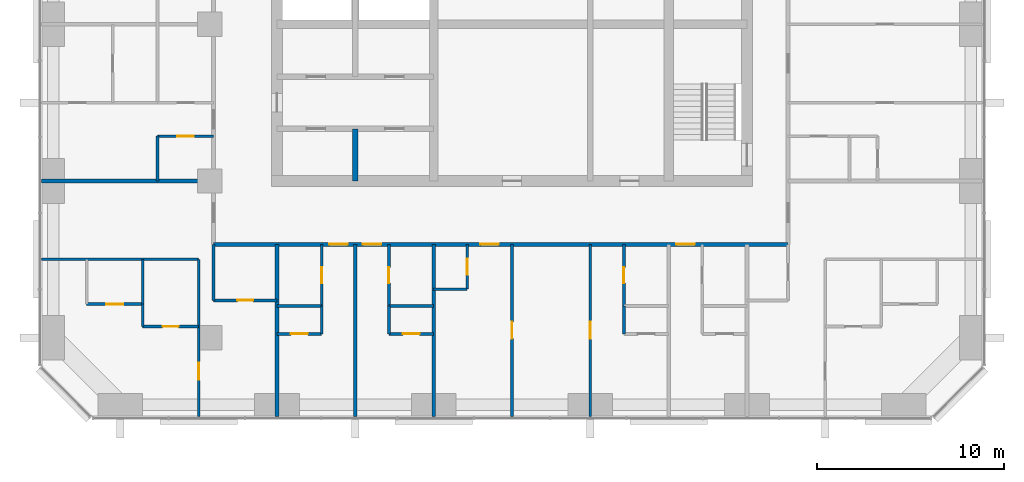
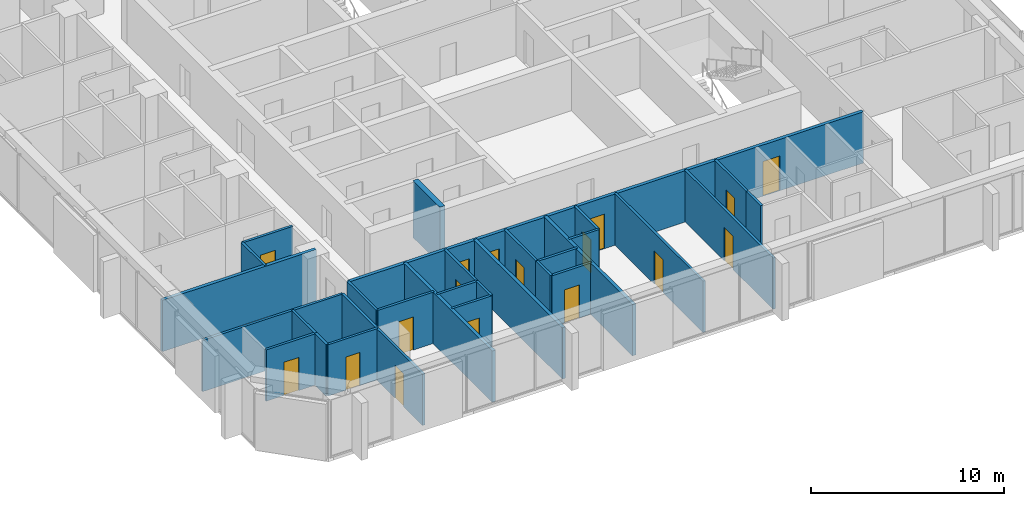
# One storey, part 8 of 14: 30 walls, 17 doors, 17 openings.
"""IFC4 building model written with IfcOpenShell, lengths in metres."""

from ifc_helpers import new_model, si_unit, direction, frame, frame_2d, origin, place, context, subcontext, project, spatial, rectangle, extrude, material, layer, layer_set, type_object, element, fill, save


model = new_model("IFC4")

# Units and contexts
model_context = context("Model", 3, precision=1e-05, world=origin(), true_north=direction((0.0, 1.0)))
body_context = subcontext(model_context, "Body", "Model", "MODEL_VIEW")
ifc_project = project(units=[si_unit("LENGTHUNIT", "METRE"), si_unit("AREAUNIT", "SQUARE_METRE"), si_unit("VOLUMEUNIT", "CUBIC_METRE"), si_unit("PLANEANGLEUNIT", "RADIAN"), si_unit("MASSUNIT", "GRAM", prefix="KILO")], contexts=[model_context])

# Site, building, storey
site_placement = place(None, origin())
site = spatial("IfcSite", under=ifc_project, at=site_placement, CompositionType="ELEMENT")
building_placement = place(site_placement, origin())
building = spatial("IfcBuilding", under=site, at=building_placement, Name="Dunama Terrace Hotel", CompositionType="ELEMENT")
storey_placement = place(building_placement, frame((0.0, 0.0, 202.199951171875)))
storey = spatial("IfcBuildingStorey", under=building, at=storey_placement, Name="L52", CompositionType="ELEMENT", Elevation=202.199951171875)

# Walls
ifc_material_1 = material(Name="Gypsum board partition", Category="masonry")
ifc_layer_1 = layer(ifc_material_1, 0.14990234375)
ifc_layer_set_1 = layer_set([ifc_layer_1], Name="Bathroom partition 150")
wall_type_1 = type_object("IfcWallType", Name="Bathroom partition 150", PredefinedType="PARTITIONING", material=ifc_layer_set_1)
wall_1_placement = place(storey_placement, frame((9.60009765625, 9.0, 0.0), z_axis=(0.0, 0.0, 1.0), x_axis=(0.0, 1.0, 0.0)))
element("IfcWall", 1, at=wall_1_placement, inside=storey, type_object=wall_type_1, Name="Bathroom partition 150 L52", PredefinedType="PARTITIONING", context=body_context, shape_type="SweptSolid", body=[
    extrude(rectangle(XDim=1.199951171875, YDim=0.14990234375, at=frame_2d((0.60009765625, 0.0))), origin(), (0.0, 0.0, 1.0), 3.25),
])
wall_2_placement = place(storey_placement, frame((13.39990234375, 10.39990234375, 0.0), z_axis=(0.0, 0.0, 1.0), x_axis=(0.0, 1.0, 0.0)))
element("IfcWall", 2, at=wall_2_placement, inside=storey, type_object=wall_type_1, Name="Bathroom partition 150 L52", PredefinedType="PARTITIONING", context=body_context, shape_type="SweptSolid", body=[
    extrude(rectangle(XDim=3.0, YDim=0.14990234375, at=frame_2d((1.5, 0.0))), origin(), (0.0, 0.0, 1.0), 3.25),
])

# Wall, opening, door
wall_3_placement = place(storey_placement, frame((19.199951171875, 10.10009765625, 0.0), z_axis=(0.0, 0.0, 1.0), x_axis=(0.0, 1.0, 0.0)))
wall_3 = element("IfcWall", 3, at=wall_3_placement, inside=storey, type_object=wall_type_1, Name="Bathroom partition 150 L52", PredefinedType="PARTITIONING", context=body_context, shape_type="SweptSolid", body=[
    extrude(rectangle(XDim=3.2998046875, YDim=0.14990234375, at=frame_2d((1.64990234375, 0.0))), origin(), (0.0, 0.0, 1.0), 3.25),
])
opening_1_placement = place(wall_3_placement, frame((1.22509765625, 0.0, 0.0)))
opening_1 = element("IfcOpeningElement", 4, at=opening_1_placement, cuts=wall_3, Name="Opening L51-52-010", PredefinedType="OPENING", context=body_context, shape_type="SweptSolid", body=[
    extrude(rectangle(XDim=0.85009765625, YDim=2.10009765625, at=frame_2d((0.425048828125, 1.050048828125))), frame((0.0, 0.0849609375, 0.0), z_axis=(0.0, -1.0, 0.0), x_axis=(1.0, 0.0, 0.0)), (0.0, 0.0, 1.0), 0.169921875),
])
ifc_material_2 = material(Name="Timber door with steel frame", Category="steel")
door_type_1 = type_object("IfcDoorType", Name="Bathroom door 850", OperationType="SINGLE_SWING_LEFT", PredefinedType="DOOR", material=ifc_material_2)
door_1_placement = place(opening_1_placement, origin())
door_1 = element("IfcDoor", 5, at=door_1_placement, inside=storey, type_object=door_type_1, Name="Door to en-suite bathroom L51-52-010, type D2", OperationType="SINGLE_SWING_RIGHT", OverallHeight=2.10009765625, OverallWidth=0.85009765625, PredefinedType="DOOR", context=body_context, shape_type="SweptSolid", body=[
    extrude(rectangle(XDim=0.85009765625, YDim=2.10009765625, at=frame_2d((0.425048828125, 1.050048828125))), frame((0.0, 0.02490234375, 0.0), z_axis=(0.0, -1.0, 0.0), x_axis=(1.0, 0.0, 0.0)), (0.0, 0.0, 1.0), 0.050048828125),
])
fill(opening_1, door_1)

wall_4_placement = place(storey_placement, frame((22.800048828125, 10.10009765625, 0.0), z_axis=(0.0, 0.0, 1.0), x_axis=(0.0, 1.0, 0.0)))
wall_4 = element("IfcWall", 6, at=wall_4_placement, inside=storey, type_object=wall_type_1, Name="Bathroom partition 150 L52", PredefinedType="PARTITIONING", context=body_context, shape_type="SweptSolid", body=[
    extrude(rectangle(XDim=3.2998046875, YDim=0.14990234375, at=frame_2d((1.64990234375, 0.0))), origin(), (0.0, 0.0, 1.0), 3.25),
])
opening_2_placement = place(wall_4_placement, frame((1.22509765625, 0.0, 0.0)))
opening_2 = element("IfcOpeningElement", 7, at=opening_2_placement, cuts=wall_4, Name="Opening L51-52-013", PredefinedType="OPENING", context=body_context, shape_type="SweptSolid", body=[
    extrude(rectangle(XDim=0.85009765625, YDim=2.10009765625, at=frame_2d((0.425048828125, 1.050048828125))), frame((0.0, 0.0849609375, 0.0), z_axis=(0.0, -1.0, 0.0), x_axis=(1.0, 0.0, 0.0)), (0.0, 0.0, 1.0), 0.169921875),
])
door_2_placement = place(opening_2_placement, frame((0.85009765625, 0.0, 0.0), z_axis=(0.0, 0.0, 1.0), x_axis=(-1.0, 0.0, 0.0)))
door_2 = element("IfcDoor", 8, at=door_2_placement, inside=storey, type_object=door_type_1, Name="Door to en-suite bathroom L51-52-013, type D2", OperationType="SINGLE_SWING_LEFT", OverallHeight=2.10009765625, OverallWidth=0.85009765625, PredefinedType="DOOR", context=body_context, shape_type="SweptSolid", body=[
    extrude(rectangle(XDim=0.85009765625, YDim=2.10009765625, at=frame_2d((0.425048828125, 1.050048828125))), frame((0.0, 0.025146484375, 0.0), z_axis=(0.0, -1.0, 0.0), x_axis=(1.0, 0.0, 0.0)), (0.0, 0.0, 1.0), 0.050048828125),
])
fill(opening_2, door_2)

wall_5_placement = place(storey_placement, frame((27.0, 11.0, 0.0), z_axis=(0.0, 0.0, 1.0), x_axis=(0.0, 1.0, 0.0)))
wall_5 = element("IfcWall", 9, at=wall_5_placement, inside=storey, type_object=wall_type_1, Name="Bathroom partition 150 L52", PredefinedType="PARTITIONING", context=body_context, shape_type="SweptSolid", body=[
    extrude(rectangle(XDim=2.39990234375, YDim=0.14990234375, at=frame_2d((1.199951171875, 0.0))), origin(), (0.0, 0.0, 1.0), 3.25),
])
opening_3_placement = place(wall_5_placement, frame((0.77490234375, 0.0, 0.0)))
opening_3 = element("IfcOpeningElement", 10, at=opening_3_placement, cuts=wall_5, Name="Opening L51-52-016", PredefinedType="OPENING", context=body_context, shape_type="SweptSolid", body=[
    extrude(rectangle(XDim=0.85009765625, YDim=2.10009765625, at=frame_2d((0.425048828125, 1.050048828125))), frame((0.0, 0.0849609375, 0.0), z_axis=(0.0, -1.0, 0.0), x_axis=(1.0, 0.0, 0.0)), (0.0, 0.0, 1.0), 0.169921875),
])
door_3_placement = place(opening_3_placement, origin())
door_3 = element("IfcDoor", 11, at=door_3_placement, inside=storey, type_object=door_type_1, Name="Door to powder room L51-52-016, type D2", OperationType="SINGLE_SWING_RIGHT", OverallHeight=2.10009765625, OverallWidth=0.85009765625, PredefinedType="DOOR", context=body_context, shape_type="SweptSolid", body=[
    extrude(rectangle(XDim=0.85009765625, YDim=2.10009765625, at=frame_2d((0.425048828125, 1.050048828125))), frame((0.0, 0.02490234375, 0.0), z_axis=(0.0, -1.0, 0.0), x_axis=(1.0, 0.0, 0.0)), (0.0, 0.0, 1.0), 0.050048828125),
])
fill(opening_3, door_3)

wall_6_placement = place(storey_placement, frame((35.39990234375, 10.10009765625, 0.0), z_axis=(0.0, 0.0, 1.0), x_axis=(0.0, 1.0, 0.0)))
wall_6 = element("IfcWall", 12, at=wall_6_placement, inside=storey, type_object=wall_type_1, Name="Bathroom partition 150 L52", PredefinedType="PARTITIONING", context=body_context, shape_type="SweptSolid", body=[
    extrude(rectangle(XDim=3.2998046875, YDim=0.14990234375, at=frame_2d((1.64990234375, 0.0))), origin(), (0.0, 0.0, 1.0), 3.25),
])
opening_4_placement = place(wall_6_placement, frame((1.22509765625, 0.0, 0.0)))
opening_4 = element("IfcOpeningElement", 13, at=opening_4_placement, cuts=wall_6, Name="Opening L51-52-019", PredefinedType="OPENING", context=body_context, shape_type="SweptSolid", body=[
    extrude(rectangle(XDim=0.85009765625, YDim=2.10009765625, at=frame_2d((0.425048828125, 1.050048828125))), frame((0.0, 0.0849609375, 0.0), z_axis=(0.0, -1.0, 0.0), x_axis=(1.0, 0.0, 0.0)), (0.0, 0.0, 1.0), 0.169921875),
])
door_4_placement = place(opening_4_placement, frame((0.85009765625, 0.0, 0.0), z_axis=(0.0, 0.0, 1.0), x_axis=(-1.0, 0.0, 0.0)))
door_4 = element("IfcDoor", 14, at=door_4_placement, inside=storey, type_object=door_type_1, Name="Door to en-suite bathroom L51-52-019, type D2", OperationType="SINGLE_SWING_LEFT", OverallHeight=2.10009765625, OverallWidth=0.85009765625, PredefinedType="DOOR", context=body_context, shape_type="SweptSolid", body=[
    extrude(rectangle(XDim=0.85009765625, YDim=2.10009765625, at=frame_2d((0.425048828125, 1.050048828125))), frame((0.0, 0.025146484375, 0.0), z_axis=(0.0, -1.0, 0.0), x_axis=(1.0, 0.0, 0.0)), (0.0, 0.0, 1.0), 0.050048828125),
])
fill(opening_4, door_4)

wall_7_placement = place(storey_placement, frame((9.60009765625, 9.0, 0.0), z_axis=(0.0, 0.0, 1.0), x_axis=(1.0, 0.0, 0.0)))
wall_7 = element("IfcWall", 15, at=wall_7_placement, inside=storey, type_object=wall_type_1, Name="Bathroom partition 150 L52", PredefinedType="PARTITIONING", context=body_context, shape_type="SweptSolid", body=[
    extrude(rectangle(XDim=3.0, YDim=0.14990234375, at=frame_2d((1.5, 0.0))), origin(), (0.0, 0.0, 1.0), 3.25),
])
opening_5_placement = place(wall_7_placement, frame((1.074951171875, 0.0, 0.0)))
opening_5 = element("IfcOpeningElement", 16, at=opening_5_placement, cuts=wall_7, Name="Opening L51-52-056", PredefinedType="OPENING", context=body_context, shape_type="SweptSolid", body=[
    extrude(rectangle(XDim=0.85009765625, YDim=2.10009765625, at=frame_2d((0.425048828125, 1.050048828125))), frame((0.0, 0.0849609375, 0.0), z_axis=(0.0, -1.0, 0.0), x_axis=(1.0, 0.0, 0.0)), (0.0, 0.0, 1.0), 0.169921875),
])
door_5_placement = place(opening_5_placement, origin())
door_5 = element("IfcDoor", 17, at=door_5_placement, inside=storey, type_object=door_type_1, Name="Door to en-suite bathroom L51-52-056, type D2", OperationType="SINGLE_SWING_LEFT", OverallHeight=2.10009765625, OverallWidth=0.85009765625, PredefinedType="DOOR", context=body_context, shape_type="SweptSolid", body=[
    extrude(rectangle(XDim=0.85009765625, YDim=2.10009765625, at=frame_2d((0.425048828125, 1.050048828125))), frame((0.0, 0.02490234375, 0.0), z_axis=(0.0, -1.0, 0.0), x_axis=(1.0, 0.0, 0.0)), (0.0, 0.0, 1.0), 0.050048828125),
])
fill(opening_5, door_5)

wall_8_placement = place(storey_placement, frame((13.39990234375, 10.39990234375, 0.0), z_axis=(0.0, 0.0, 1.0), x_axis=(1.0, 0.0, 0.0)))
wall_8 = element("IfcWall", 18, at=wall_8_placement, inside=storey, type_object=wall_type_1, Name="Bathroom partition 150 L52", PredefinedType="PARTITIONING", context=body_context, shape_type="SweptSolid", body=[
    extrude(rectangle(XDim=3.400146484375, YDim=0.14990234375, at=frame_2d((1.7001953125, 0.0))), origin(), (0.0, 0.0, 1.0), 3.25),
])
opening_6_placement = place(wall_8_placement, frame((1.27490234375, 0.0, 0.0)))
opening_6 = element("IfcOpeningElement", 19, at=opening_6_placement, cuts=wall_8, Name="Opening L51-52-054", PredefinedType="OPENING", context=body_context, shape_type="SweptSolid", body=[
    extrude(rectangle(XDim=0.85009765625, YDim=2.10009765625, at=frame_2d((0.425048828125, 1.050048828125))), frame((0.0, 0.0849609375, 0.0), z_axis=(0.0, -1.0, 0.0), x_axis=(1.0, 0.0, 0.0)), (0.0, 0.0, 1.0), 0.169921875),
])
door_6_placement = place(opening_6_placement, origin())
door_6 = element("IfcDoor", 20, at=door_6_placement, inside=storey, type_object=door_type_1, Name="Door to powder room L51-52-054, type D2", OperationType="SINGLE_SWING_RIGHT", OverallHeight=2.10009765625, OverallWidth=0.85009765625, PredefinedType="DOOR", context=body_context, shape_type="SweptSolid", body=[
    extrude(rectangle(XDim=0.85009765625, YDim=2.10009765625, at=frame_2d((0.425048828125, 1.050048828125))), frame((0.0, 0.02490234375, 0.0), z_axis=(0.0, -1.0, 0.0), x_axis=(1.0, 0.0, 0.0)), (0.0, 0.0, 1.0), 0.050048828125),
])
fill(opening_6, door_6)

# Walls
wall_9_placement = place(storey_placement, frame((25.199951171875, 11.0, 0.0), z_axis=(0.0, 0.0, 1.0), x_axis=(1.0, 0.0, 0.0)))
element("IfcWall", 21, at=wall_9_placement, inside=storey, type_object=wall_type_1, Name="Bathroom partition 150 L52", PredefinedType="PARTITIONING", context=body_context, shape_type="SweptSolid", body=[
    extrude(rectangle(XDim=1.800048828125, YDim=0.14990234375, at=frame_2d((0.89990234375, 0.0))), origin(), (0.0, 0.0, 1.0), 3.25),
])
ifc_material_3 = material(Name="Concrete C50/60", Category="concrete")
ifc_layer_2 = layer(ifc_material_3, 0.300048828125)
ifc_layer_set_2 = layer_set([ifc_layer_2], Name="Core inner wall 300")
wall_type_2 = type_object("IfcWallType", Name="Core inner wall 300", PredefinedType="SHEAR", material=ifc_layer_set_2)
wall_10_placement = place(storey_placement, frame((21.0, 16.800048828125, -0.349853515625), z_axis=(0.0, 0.0, 1.0), x_axis=(0.0, 1.0, 0.0)))
element("IfcWall", 22, at=wall_10_placement, inside=storey, type_object=wall_type_2, Name="Core inner wall 300 L52", PredefinedType="SHEAR", context=body_context, shape_type="SweptSolid", body=[
    extrude(rectangle(XDim=2.800048828125, YDim=0.300048828125, at=frame_2d((1.39990234375, 0.0))), origin(), (0.0, 0.0, 1.0), 3.599853515625),
])

# Wall, openings, doors
ifc_material_4 = material(Name="Concrete blockwork", Category="masonry")
ifc_layer_3 = layer(ifc_material_4, 0.199951171875)
ifc_layer_set_3 = layer_set([ifc_layer_3], Name="Corridor partition 200")
wall_type_3 = type_object("IfcWallType", Name="Corridor partition 200", PredefinedType="PARTITIONING", material=ifc_layer_set_3)
wall_11_placement = place(storey_placement, frame((44.199951171875, 13.39990234375, 0.0), z_axis=(0.0, 0.0, 1.0), x_axis=(-1.0, 0.0, 0.0)))
wall_11 = element("IfcWall", 23, at=wall_11_placement, inside=storey, type_object=wall_type_3, Name="Corridor partition 200 L52", PredefinedType="PARTITIONING", context=body_context, shape_type="SweptSolid", body=[
    extrude(rectangle(XDim=30.800048828125, YDim=0.199951171875, at=frame_2d((15.39990234375, 0.0))), origin(), (0.0, 0.0, 1.0), 3.25),
])
opening_7_placement = place(wall_11_placement, frame((23.60009765625, 0.0, 0.0)))
opening_7 = element("IfcOpeningElement", 24, at=opening_7_placement, cuts=wall_11, Name="Opening L51-52-009", PredefinedType="OPENING", context=body_context, shape_type="SweptSolid", body=[
    extrude(rectangle(XDim=1.0, YDim=2.199951171875, at=frame_2d((0.5, 1.10009765625))), frame((0.0, 0.10986328125, 0.0), z_axis=(0.0, -1.0, 0.0), x_axis=(1.0, 0.0, 0.0)), (0.0, 0.0, 1.0), 0.219970703125),
])
opening_8_placement = place(wall_11_placement, frame((21.800048828125, 0.0, 0.0)))
opening_8 = element("IfcOpeningElement", 25, at=opening_8_placement, cuts=wall_11, Name="Opening L51-52-012", PredefinedType="OPENING", context=body_context, shape_type="SweptSolid", body=[
    extrude(rectangle(XDim=1.0, YDim=2.199951171875, at=frame_2d((0.5, 1.10009765625))), frame((0.0, 0.10986328125, 0.0), z_axis=(0.0, -1.0, 0.0), x_axis=(1.0, 0.0, 0.0)), (0.0, 0.0, 1.0), 0.219970703125),
])
opening_9_placement = place(wall_11_placement, frame((15.5, 0.0, 0.0)))
opening_9 = element("IfcOpeningElement", 26, at=opening_9_placement, cuts=wall_11, Name="Opening L51-52-015", PredefinedType="OPENING", context=body_context, shape_type="SweptSolid", body=[
    extrude(rectangle(XDim=1.0, YDim=2.199951171875, at=frame_2d((0.5, 1.10009765625))), frame((0.0, 0.10986328125, 0.0), z_axis=(0.0, -1.0, 0.0), x_axis=(1.0, 0.0, 0.0)), (0.0, 0.0, 1.0), 0.219970703125),
])
opening_10_placement = place(wall_11_placement, frame((5.0, 0.0, 0.0)))
opening_10 = element("IfcOpeningElement", 27, at=opening_10_placement, cuts=wall_11, Name="Opening L51-52-021", PredefinedType="OPENING", context=body_context, shape_type="SweptSolid", body=[
    extrude(rectangle(XDim=1.0, YDim=2.199951171875, at=frame_2d((0.5, 1.10009765625))), frame((0.0, 0.10986328125, 0.0), z_axis=(0.0, -1.0, 0.0), x_axis=(1.0, 0.0, 0.0)), (0.0, 0.0, 1.0), 0.219970703125),
])
ifc_material_5 = material(Name="Timber door with steel frame", Category="steel")
door_type_2 = type_object("IfcDoorType", Name="Guest room door 1000", OperationType="SINGLE_SWING_LEFT", PredefinedType="DOOR", material=ifc_material_5)
door_7_placement = place(opening_7_placement, origin())
door_7 = element("IfcDoor", 28, at=door_7_placement, inside=storey, type_object=door_type_2, Name="Door to club room L51-52-009, type D1", OperationType="SINGLE_SWING_LEFT", OverallHeight=2.199951171875, OverallWidth=1.0, PredefinedType="DOOR", context=body_context, shape_type="SweptSolid", body=[
    extrude(rectangle(XDim=1.0, YDim=2.199951171875, at=frame_2d((0.5, 1.10009765625))), frame((0.0, 0.02490234375, 0.0), z_axis=(0.0, -1.0, 0.0), x_axis=(1.0, 0.0, 0.0)), (0.0, 0.0, 1.0), 0.050048828125),
])
fill(opening_7, door_7)
door_8_placement = place(opening_8_placement, origin())
door_8 = element("IfcDoor", 29, at=door_8_placement, inside=storey, type_object=door_type_2, Name="Door to club room L51-52-012, type D1", OperationType="SINGLE_SWING_RIGHT", OverallHeight=2.199951171875, OverallWidth=1.0, PredefinedType="DOOR", context=body_context, shape_type="SweptSolid", body=[
    extrude(rectangle(XDim=1.0, YDim=2.199951171875, at=frame_2d((0.5, 1.10009765625))), frame((0.0, 0.02490234375, 0.0), z_axis=(0.0, -1.0, 0.0), x_axis=(1.0, 0.0, 0.0)), (0.0, 0.0, 1.0), 0.050048828125),
])
fill(opening_8, door_8)
door_9_placement = place(opening_9_placement, origin())
door_9 = element("IfcDoor", 30, at=door_9_placement, inside=storey, type_object=door_type_2, Name="Door to ambassador suite living room L51-52-015, type D1", OperationType="SINGLE_SWING_LEFT", OverallHeight=2.199951171875, OverallWidth=1.0, PredefinedType="DOOR", context=body_context, shape_type="SweptSolid", body=[
    extrude(rectangle(XDim=1.0, YDim=2.199951171875, at=frame_2d((0.5, 1.10009765625))), frame((0.0, 0.02490234375, 0.0), z_axis=(0.0, -1.0, 0.0), x_axis=(1.0, 0.0, 0.0)), (0.0, 0.0, 1.0), 0.050048828125),
])
fill(opening_9, door_9)
door_10_placement = place(opening_10_placement, origin())
door_10 = element("IfcDoor", 31, at=door_10_placement, inside=storey, type_object=door_type_2, Name="Door to club room L51-52-021, type D1", OperationType="SINGLE_SWING_RIGHT", OverallHeight=2.199951171875, OverallWidth=1.0, PredefinedType="DOOR", context=body_context, shape_type="SweptSolid", body=[
    extrude(rectangle(XDim=1.0, YDim=2.199951171875, at=frame_2d((0.5, 1.10009765625))), frame((0.0, 0.02490234375, 0.0), z_axis=(0.0, -1.0, 0.0), x_axis=(1.0, 0.0, 0.0)), (0.0, 0.0, 1.0), 0.050048828125),
])
fill(opening_10, door_10)

# Walls
ifc_material_6 = material(Name="Concrete blockwork", Category="masonry")
ifc_layer_4 = layer(ifc_material_6, 0.199951171875)
ifc_layer_set_4 = layer_set([ifc_layer_4], Name="Party wall 200")
wall_type_4 = type_object("IfcWallType", Name="Party wall 200", PredefinedType="PARTITIONING", material=ifc_layer_set_4)
for number, where, z_axis, x_axis, name in (
    (32, (16.800048828125, 4.181884765625, 0.0), (0.0, 0.0, 1.0), (0.0, 1.0, 0.0), "Party wall 200 L52"),
    (33, (21.0, 4.181884765625, 0.0), (0.0, 0.0, 1.0), (0.0, 1.0, 0.0), "Party wall 200 L52"),
    (34, (25.199951171875, 4.181884765625, 0.0), (0.0, 0.0, 1.0), (0.0, 1.0, 0.0), "Party wall 200 L52"),
    (35, (4.181884765625, 16.800048828125, 0.0), (0.0, 0.0, 1.0), (1.0, 0.0, 0.0), "Party wall 200 L52"),
):
    element("IfcWall", number, at=place(storey_placement, frame(where, z_axis=z_axis, x_axis=x_axis)), inside=storey, type_object=wall_type_4, Name=name, PredefinedType="PARTITIONING", context=body_context, shape_type="SweptSolid", body=[
        extrude(rectangle(XDim=9.218017578125, YDim=0.199951171875, at=frame_2d((4.60888671875, 0.0))), origin(), (0.0, 0.0, 1.0), 3.25),
    ])
ifc_material_7 = material(Name="Gypsum board partition", Category="masonry")
ifc_layer_5 = layer(ifc_material_7, 0.14990234375)
ifc_layer_set_5 = layer_set([ifc_layer_5], Name="Room partition 150")
wall_type_5 = type_object("IfcWallType", Name="Room partition 150", PredefinedType="PARTITIONING", material=ifc_layer_set_5)
wall_12_placement = place(storey_placement, frame((9.60009765625, 10.199951171875, 0.0), z_axis=(0.0, 0.0, 1.0), x_axis=(0.0, 1.0, 0.0)))
element("IfcWall", 36, at=wall_12_placement, inside=storey, type_object=wall_type_5, Name="Room partition 150 L52", PredefinedType="PARTITIONING", context=body_context, shape_type="SweptSolid", body=[
    extrude(rectangle(XDim=2.400146484375, YDim=0.14990234375, at=frame_2d((1.2001953125, 0.0))), origin(), (0.0, 0.0, 1.0), 3.25),
])
wall_13_placement = place(storey_placement, frame((10.39990234375, 16.800048828125, 0.0), z_axis=(0.0, 0.0, 1.0), x_axis=(0.0, 1.0, 0.0)))
element("IfcWall", 37, at=wall_13_placement, inside=storey, type_object=wall_type_5, Name="Room partition 150 L52", PredefinedType="PARTITIONING", context=body_context, shape_type="SweptSolid", body=[
    extrude(rectangle(XDim=2.39990234375, YDim=0.14990234375, at=frame_2d((1.199951171875, 0.0))), origin(), (0.0, 0.0, 1.0), 3.25),
])

# Wall, opening, door
wall_14_placement = place(storey_placement, frame((12.60009765625, 4.181884765625, 0.0), z_axis=(0.0, 0.0, 1.0), x_axis=(0.0, 1.0, 0.0)))
wall_14 = element("IfcWall", 38, at=wall_14_placement, inside=storey, type_object=wall_type_5, Name="Room partition 150 L52", PredefinedType="PARTITIONING", context=body_context, shape_type="SweptSolid", body=[
    extrude(rectangle(XDim=8.418212890625, YDim=0.14990234375, at=frame_2d((4.208984375, 0.0))), origin(), (0.0, 0.0, 1.0), 3.25),
])
opening_11_placement = place(wall_14_placement, frame((1.968017578125, 0.0, 0.0)))
opening_11 = element("IfcOpeningElement", 39, at=opening_11_placement, cuts=wall_14, Name="Opening L51-52-055", PredefinedType="OPENING", context=body_context, shape_type="SweptSolid", body=[
    extrude(rectangle(XDim=0.89990234375, YDim=2.10009765625, at=frame_2d((0.449951171875, 1.050048828125))), frame((0.0, 0.0849609375, 0.0), z_axis=(0.0, -1.0, 0.0), x_axis=(1.0, 0.0, 0.0)), (0.0, 0.0, 1.0), 0.169921875),
])
ifc_material_8 = material(Name="Timber door with steel frame", Category="steel")
door_type_3 = type_object("IfcDoorType", Name="Suite internal door 900", OperationType="SINGLE_SWING_LEFT", PredefinedType="DOOR", material=ifc_material_8)
door_11_placement = place(opening_11_placement, origin())
door_11 = element("IfcDoor", 40, at=door_11_placement, inside=storey, type_object=door_type_3, Name="Door to corner suite bedroom L51-52-055, type D16", OperationType="SINGLE_SWING_RIGHT", OverallHeight=2.10009765625, OverallWidth=0.89990234375, PredefinedType="DOOR", context=body_context, shape_type="SweptSolid", body=[
    extrude(rectangle(XDim=0.89990234375, YDim=2.10009765625, at=frame_2d((0.449951171875, 1.050048828125))), frame((0.0, 0.02490234375, 0.0), z_axis=(0.0, -1.0, 0.0), x_axis=(1.0, 0.0, 0.0)), (0.0, 0.0, 1.0), 0.050048828125),
])
fill(opening_11, door_11)

# Walls
for number, where, z_axis, x_axis, name in (
    (41, (19.199951171875, 8.60009765625, 0.0), (0.0, 0.0, 1.0), (0.0, 1.0, 0.0), "Room partition 150 L52"),
    (42, (22.800048828125, 8.60009765625, 0.0), (0.0, 0.0, 1.0), (0.0, 1.0, 0.0), "Room partition 150 L52"),
):
    element("IfcWall", number, at=place(storey_placement, frame(where, z_axis=z_axis, x_axis=x_axis)), inside=storey, type_object=wall_type_5, Name=name, PredefinedType="PARTITIONING", context=body_context, shape_type="SweptSolid", body=[
        extrude(rectangle(XDim=1.5, YDim=0.14990234375, at=frame_2d((0.75, 0.0))), origin(), (0.0, 0.0, 1.0), 3.25),
    ])

# Wall, opening, door
wall_15_placement = place(storey_placement, frame((29.39990234375, 4.181884765625, 0.0), z_axis=(0.0, 0.0, 1.0), x_axis=(0.0, 1.0, 0.0)))
wall_15 = element("IfcWall", 43, at=wall_15_placement, inside=storey, type_object=wall_type_5, Name="Room partition 150 L52", PredefinedType="PARTITIONING", context=body_context, shape_type="SweptSolid", body=[
    extrude(rectangle(XDim=9.218017578125, YDim=0.14990234375, at=frame_2d((4.60888671875, 0.0))), origin(), (0.0, 0.0, 1.0), 3.25),
])
opening_12_placement = place(wall_15_placement, frame((4.16796875, 0.0, 0.0)))
opening_12 = element("IfcOpeningElement", 44, at=opening_12_placement, cuts=wall_15, Name="Opening L51-52-017", PredefinedType="OPENING", context=body_context, shape_type="SweptSolid", body=[
    extrude(rectangle(XDim=0.89990234375, YDim=2.10009765625, at=frame_2d((0.449951171875, 1.050048828125))), frame((0.0, 0.0849609375, 0.0), z_axis=(0.0, -1.0, 0.0), x_axis=(1.0, 0.0, 0.0)), (0.0, 0.0, 1.0), 0.169921875),
])
door_12_placement = place(opening_12_placement, origin())
door_12 = element("IfcDoor", 45, at=door_12_placement, inside=storey, type_object=door_type_3, Name="Door to ambassador suite study L51-52-017, type D16", OperationType="SINGLE_SWING_RIGHT", OverallHeight=2.10009765625, OverallWidth=0.89990234375, PredefinedType="DOOR", context=body_context, shape_type="SweptSolid", body=[
    extrude(rectangle(XDim=0.89990234375, YDim=2.10009765625, at=frame_2d((0.449951171875, 1.050048828125))), frame((0.0, 0.02490234375, 0.0), z_axis=(0.0, -1.0, 0.0), x_axis=(1.0, 0.0, 0.0)), (0.0, 0.0, 1.0), 0.050048828125),
])
fill(opening_12, door_12)

wall_16_placement = place(storey_placement, frame((33.60009765625, 4.181884765625, 0.0), z_axis=(0.0, 0.0, 1.0), x_axis=(0.0, 1.0, 0.0)))
wall_16 = element("IfcWall", 46, at=wall_16_placement, inside=storey, type_object=wall_type_5, Name="Room partition 150 L52", PredefinedType="PARTITIONING", context=body_context, shape_type="SweptSolid", body=[
    extrude(rectangle(XDim=9.218017578125, YDim=0.14990234375, at=frame_2d((4.60888671875, 0.0))), origin(), (0.0, 0.0, 1.0), 3.25),
])
opening_13_placement = place(wall_16_placement, frame((4.16796875, 0.0, 0.0)))
opening_13 = element("IfcOpeningElement", 47, at=opening_13_placement, cuts=wall_16, Name="Opening L51-52-018", PredefinedType="OPENING", context=body_context, shape_type="SweptSolid", body=[
    extrude(rectangle(XDim=0.89990234375, YDim=2.10009765625, at=frame_2d((0.449951171875, 1.050048828125))), frame((0.0, 0.0849609375, 0.0), z_axis=(0.0, -1.0, 0.0), x_axis=(1.0, 0.0, 0.0)), (0.0, 0.0, 1.0), 0.169921875),
])
door_13_placement = place(opening_13_placement, frame((0.89990234375, 0.0, 0.0), z_axis=(0.0, 0.0, 1.0), x_axis=(-1.0, 0.0, 0.0)))
door_13 = element("IfcDoor", 48, at=door_13_placement, inside=storey, type_object=door_type_3, Name="Door to ambassador suite bedroom L51-52-018, type D16", OperationType="SINGLE_SWING_LEFT", OverallHeight=2.10009765625, OverallWidth=0.89990234375, PredefinedType="DOOR", context=body_context, shape_type="SweptSolid", body=[
    extrude(rectangle(XDim=0.89990234375, YDim=2.10009765625, at=frame_2d((0.449951171875, 1.050048828125))), frame((0.0, 0.025146484375, 0.0), z_axis=(0.0, -1.0, 0.0), x_axis=(1.0, 0.0, 0.0)), (0.0, 0.0, 1.0), 0.050048828125),
])
fill(opening_13, door_13)

# Wall
wall_17_placement = place(storey_placement, frame((35.39990234375, 8.60009765625, 0.0), z_axis=(0.0, 0.0, 1.0), x_axis=(0.0, 1.0, 0.0)))
element("IfcWall", 49, at=wall_17_placement, inside=storey, type_object=wall_type_5, Name="Room partition 150 L52", PredefinedType="PARTITIONING", context=body_context, shape_type="SweptSolid", body=[
    extrude(rectangle(XDim=1.5, YDim=0.14990234375, at=frame_2d((0.75, 0.0))), origin(), (0.0, 0.0, 1.0), 3.25),
])

# Wall, opening, door
wall_18_placement = place(storey_placement, frame((16.800048828125, 8.60009765625, 0.0), z_axis=(0.0, 0.0, 1.0), x_axis=(1.0, 0.0, 0.0)))
wall_18 = element("IfcWall", 50, at=wall_18_placement, inside=storey, type_object=wall_type_5, Name="Room partition 150 L52", PredefinedType="PARTITIONING", context=body_context, shape_type="SweptSolid", body=[
    extrude(rectangle(XDim=2.39990234375, YDim=0.14990234375, at=frame_2d((1.199951171875, 0.0))), origin(), (0.0, 0.0, 1.0), 3.25),
])
opening_14_placement = place(wall_18_placement, frame((0.75, 0.0, 0.0)))
opening_14 = element("IfcOpeningElement", 51, at=opening_14_placement, cuts=wall_18, Name="Opening L51-52-011", PredefinedType="OPENING", context=body_context, shape_type="SweptSolid", body=[
    extrude(rectangle(XDim=0.89990234375, YDim=2.10009765625, at=frame_2d((0.449951171875, 1.050048828125))), frame((0.0, 0.0849609375, 0.0), z_axis=(0.0, -1.0, 0.0), x_axis=(1.0, 0.0, 0.0)), (0.0, 0.0, 1.0), 0.169921875),
])
door_14_placement = place(opening_14_placement, origin())
door_14 = element("IfcDoor", 52, at=door_14_placement, inside=storey, type_object=door_type_3, Name="Door to walk-in wardrobe L51-52-011, type D16", OperationType="SINGLE_SWING_LEFT", OverallHeight=2.10009765625, OverallWidth=0.89990234375, PredefinedType="DOOR", context=body_context, shape_type="SweptSolid", body=[
    extrude(rectangle(XDim=0.89990234375, YDim=2.10009765625, at=frame_2d((0.449951171875, 1.050048828125))), frame((0.0, 0.02490234375, 0.0), z_axis=(0.0, -1.0, 0.0), x_axis=(1.0, 0.0, 0.0)), (0.0, 0.0, 1.0), 0.050048828125),
])
fill(opening_14, door_14)

wall_19_placement = place(storey_placement, frame((22.800048828125, 8.60009765625, 0.0), z_axis=(0.0, 0.0, 1.0), x_axis=(1.0, 0.0, 0.0)))
wall_19 = element("IfcWall", 53, at=wall_19_placement, inside=storey, type_object=wall_type_5, Name="Room partition 150 L52", PredefinedType="PARTITIONING", context=body_context, shape_type="SweptSolid", body=[
    extrude(rectangle(XDim=2.39990234375, YDim=0.14990234375, at=frame_2d((1.199951171875, 0.0))), origin(), (0.0, 0.0, 1.0), 3.25),
])
opening_15_placement = place(wall_19_placement, frame((0.75, 0.0, 0.0)))
opening_15 = element("IfcOpeningElement", 54, at=opening_15_placement, cuts=wall_19, Name="Opening L51-52-014", PredefinedType="OPENING", context=body_context, shape_type="SweptSolid", body=[
    extrude(rectangle(XDim=0.89990234375, YDim=2.10009765625, at=frame_2d((0.449951171875, 1.050048828125))), frame((0.0, 0.0849609375, 0.0), z_axis=(0.0, -1.0, 0.0), x_axis=(1.0, 0.0, 0.0)), (0.0, 0.0, 1.0), 0.169921875),
])
door_15_placement = place(opening_15_placement, origin())
door_15 = element("IfcDoor", 55, at=door_15_placement, inside=storey, type_object=door_type_3, Name="Door to walk-in wardrobe L51-52-014, type D16", OperationType="SINGLE_SWING_LEFT", OverallHeight=2.10009765625, OverallWidth=0.89990234375, PredefinedType="DOOR", context=body_context, shape_type="SweptSolid", body=[
    extrude(rectangle(XDim=0.89990234375, YDim=2.10009765625, at=frame_2d((0.449951171875, 1.050048828125))), frame((0.0, 0.02490234375, 0.0), z_axis=(0.0, -1.0, 0.0), x_axis=(1.0, 0.0, 0.0)), (0.0, 0.0, 1.0), 0.050048828125),
])
fill(opening_15, door_15)

# Walls
for number, where, z_axis, x_axis, name in (
    (56, (16.800048828125, 10.10009765625, 0.0), (0.0, 0.0, 1.0), (1.0, 0.0, 0.0), "Room partition 150 L52"),
    (57, (22.800048828125, 10.10009765625, 0.0), (0.0, 0.0, 1.0), (1.0, 0.0, 0.0), "Room partition 150 L52"),
):
    element("IfcWall", number, at=place(storey_placement, frame(where, z_axis=z_axis, x_axis=x_axis)), inside=storey, type_object=wall_type_5, Name=name, PredefinedType="PARTITIONING", context=body_context, shape_type="SweptSolid", body=[
        extrude(rectangle(XDim=2.39990234375, YDim=0.14990234375, at=frame_2d((1.199951171875, 0.0))), origin(), (0.0, 0.0, 1.0), 3.25),
    ])

# Wall, opening, door
wall_20_placement = place(storey_placement, frame((6.60009765625, 10.199951171875, 0.0), z_axis=(0.0, 0.0, 1.0), x_axis=(1.0, 0.0, 0.0)))
wall_20 = element("IfcWall", 58, at=wall_20_placement, inside=storey, type_object=wall_type_5, Name="Room partition 150 L52", PredefinedType="PARTITIONING", context=body_context, shape_type="SweptSolid", body=[
    extrude(rectangle(XDim=3.0, YDim=0.14990234375, at=frame_2d((1.5, 0.0))), origin(), (0.0, 0.0, 1.0), 3.25),
])
opening_16_placement = place(wall_20_placement, frame((1.050048828125, 0.0, 0.0)))
opening_16 = element("IfcOpeningElement", 59, at=opening_16_placement, cuts=wall_20, Name="Opening L51-52-057", PredefinedType="OPENING", context=body_context, shape_type="SweptSolid", body=[
    extrude(rectangle(XDim=0.89990234375, YDim=2.10009765625, at=frame_2d((0.449951171875, 1.050048828125))), frame((0.0, 0.0849609375, 0.0), z_axis=(0.0, -1.0, 0.0), x_axis=(1.0, 0.0, 0.0)), (0.0, 0.0, 1.0), 0.169921875),
])
door_16_placement = place(opening_16_placement, origin())
door_16 = element("IfcDoor", 60, at=door_16_placement, inside=storey, type_object=door_type_3, Name="Door to dressing room L51-52-057, type D16", OperationType="SINGLE_SWING_LEFT", OverallHeight=2.10009765625, OverallWidth=0.89990234375, PredefinedType="DOOR", context=body_context, shape_type="SweptSolid", body=[
    extrude(rectangle(XDim=0.89990234375, YDim=2.10009765625, at=frame_2d((0.449951171875, 1.050048828125))), frame((0.0, 0.02490234375, 0.0), z_axis=(0.0, -1.0, 0.0), x_axis=(1.0, 0.0, 0.0)), (0.0, 0.0, 1.0), 0.050048828125),
])
fill(opening_16, door_16)

# Wall
wall_21_placement = place(storey_placement, frame((4.181884765625, 12.60009765625, 0.0), z_axis=(0.0, 0.0, 1.0), x_axis=(1.0, 0.0, 0.0)))
element("IfcWall", 61, at=wall_21_placement, inside=storey, type_object=wall_type_5, Name="Room partition 150 L52", PredefinedType="PARTITIONING", context=body_context, shape_type="SweptSolid", body=[
    extrude(rectangle(XDim=8.418212890625, YDim=0.14990234375, at=frame_2d((4.208984375, 0.0))), origin(), (0.0, 0.0, 1.0), 3.25),
])

# Wall, opening, door
wall_22_placement = place(storey_placement, frame((10.39990234375, 19.199951171875, 0.0), z_axis=(0.0, 0.0, 1.0), x_axis=(1.0, 0.0, 0.0)))
wall_22 = element("IfcWall", 62, at=wall_22_placement, inside=storey, type_object=wall_type_5, Name="Room partition 150 L52", PredefinedType="PARTITIONING", context=body_context, shape_type="SweptSolid", body=[
    extrude(rectangle(XDim=3.0, YDim=0.14990234375, at=frame_2d((1.5, 0.0))), origin(), (0.0, 0.0, 1.0), 3.25),
])
opening_17_placement = place(wall_22_placement, frame((1.050048828125, 0.0, 0.0)))
opening_17 = element("IfcOpeningElement", 63, at=opening_17_placement, cuts=wall_22, Name="Opening L51-52-039", PredefinedType="OPENING", context=body_context, shape_type="SweptSolid", body=[
    extrude(rectangle(XDim=0.89990234375, YDim=2.10009765625, at=frame_2d((0.449951171875, 1.050048828125))), frame((0.0, 0.0849609375, 0.0), z_axis=(0.0, -1.0, 0.0), x_axis=(1.0, 0.0, 0.0)), (0.0, 0.0, 1.0), 0.169921875),
])
door_17_placement = place(opening_17_placement, frame((0.89990234375, 0.0, 0.0), z_axis=(0.0, 0.0, 1.0), x_axis=(-1.0, 0.0, 0.0)))
door_17 = element("IfcDoor", 64, at=door_17_placement, inside=storey, type_object=door_type_3, Name="Door to diplomatic residence kitchen L51-52-039, type D16", OperationType="SINGLE_SWING_LEFT", OverallHeight=2.10009765625, OverallWidth=0.89990234375, PredefinedType="DOOR", context=body_context, shape_type="SweptSolid", body=[
    extrude(rectangle(XDim=0.89990234375, YDim=2.10009765625, at=frame_2d((0.449951171875, 1.050048828125))), frame((0.0, 0.025146484375, 0.0), z_axis=(0.0, -1.0, 0.0), x_axis=(1.0, 0.0, 0.0)), (0.0, 0.0, 1.0), 0.050048828125),
])
fill(opening_17, door_17)

save(model, "model.ifc")
